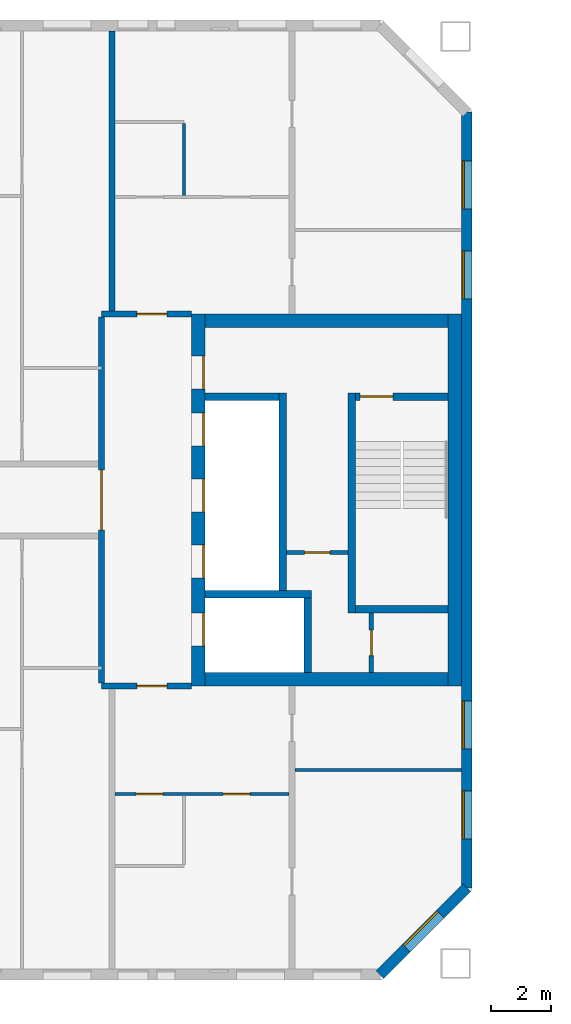
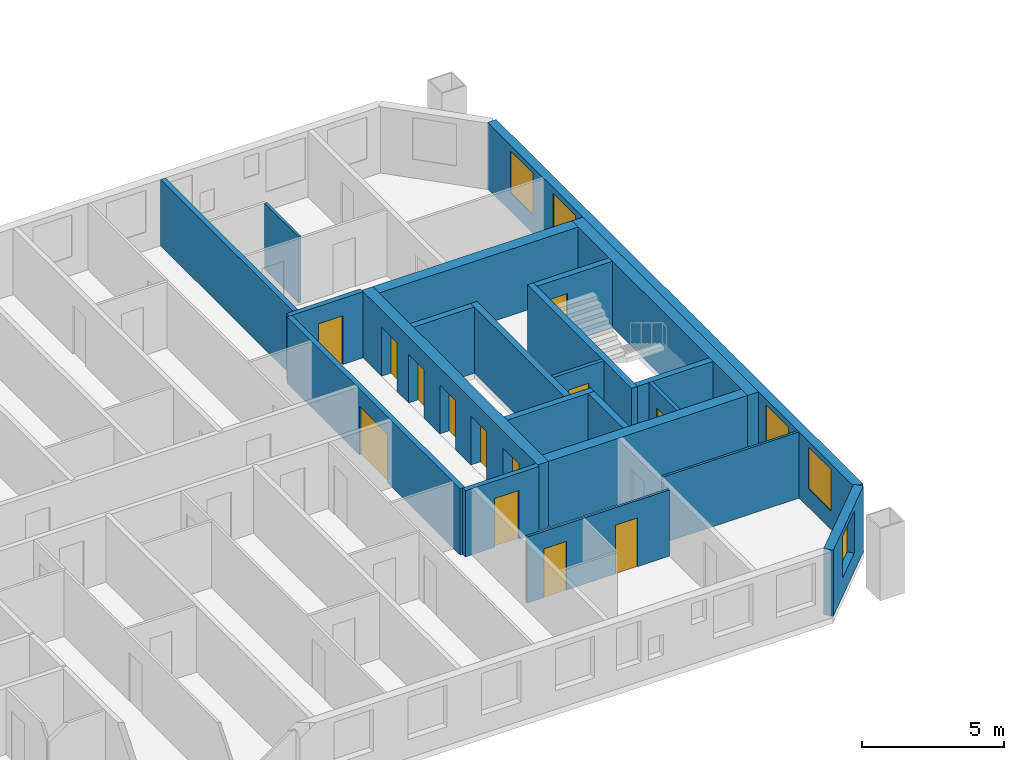
# One storey, part 7 of 16: 22 walls, 13 doors, 5 windows, 18 openings.
"""IFC4 building model written with IfcOpenShell, lengths in metres."""

from ifc_helpers import new_model, si_unit, direction, frame, frame_2d, origin, place, context, subcontext, project, spatial, rectangle, extrude, material, layer, layer_set, type_object, element, fill, save


model = new_model("IFC4")

# Units and contexts
model_context = context("Model", 3, precision=1e-05, world=origin(), true_north=direction((0.0, 1.0)))
body_context = subcontext(model_context, "Body", "Model", "MODEL_VIEW")
ifc_project = project(units=[si_unit("LENGTHUNIT", "METRE"), si_unit("AREAUNIT", "SQUARE_METRE"), si_unit("VOLUMEUNIT", "CUBIC_METRE"), si_unit("PLANEANGLEUNIT", "RADIAN"), si_unit("MASSUNIT", "GRAM", prefix="KILO")], contexts=[model_context])

# Site, building, storey
site_placement = place(None, origin())
site = spatial("IfcSite", under=ifc_project, at=site_placement, CompositionType="ELEMENT")
building_placement = place(site_placement, origin())
building = spatial("IfcBuilding", under=site, at=building_placement, Name="Tuart Gate Housing", CompositionType="ELEMENT")
storey_placement = place(building_placement, frame((0.0, 0.0, 178.89990234375)))
storey = spatial("IfcBuildingStorey", under=building, at=storey_placement, Name="L50", CompositionType="ELEMENT", Elevation=178.89990234375)

# Wall, opening, window
ifc_material_1 = material(Name="Brick", Category="masonry")
ifc_layer_1 = layer(ifc_material_1, 0.360107421875)
ifc_layer_set_1 = layer_set([ifc_layer_1], Name="Brick pier and spandrel wall 360")
wall_type_1 = type_object("IfcWallType", Name="Brick pier and spandrel wall 360", PredefinedType="STANDARD", material=ifc_layer_set_1)
wall_1_placement = place(storey_placement, frame((72.92529296875, 54.179931640625, 0.0), z_axis=(0.0, 0.0, 1.0), x_axis=(0.707106781187, 0.707106781187, 0.0)))
wall_1 = element("IfcWall", 1, at=wall_1_placement, inside=storey, type_object=wall_type_1, Name="External wall A-SE L50", PredefinedType="STANDARD", context=body_context, shape_type="SweptSolid", body=[
    extrude(rectangle(XDim=4.09375, YDim=0.360107421875, at=frame_2d((2.046875, 0.0))), origin(), (0.0, 0.0, 1.0), 2.85009765625),
])
opening_1_placement = place(wall_1_placement, frame((1.2470703125, 0.0, 0.800048828125)))
opening_1 = element("IfcOpeningElement", 2, at=opening_1_placement, cuts=wall_1, Name="Opening W1", PredefinedType="OPENING", context=body_context, shape_type="SweptSolid", body=[
    extrude(rectangle(XDim=1.60009765625, YDim=1.800048828125, at=frame_2d((0.800048828125, 0.89990234375))), frame((0.0, 0.18994140625, 0.0), z_axis=(0.0, -1.0, 0.0), x_axis=(1.0, 0.0, 0.0)), (0.0, 0.0, 1.0), 0.380126953125),
])
ifc_material_2 = material(Name="Aluminium frame with clear glass", Category="aluminium")
window_type = type_object("IfcWindowType", Name="Punched window 1600 x 1800", PartitioningType="SINGLE_PANEL", PredefinedType="WINDOW", material=ifc_material_2)
window_1_placement = place(opening_1_placement, origin())
window_1 = element("IfcWindow", 3, at=window_1_placement, inside=storey, type_object=window_type, Name="Window W1", OverallHeight=1.800048828125, OverallWidth=1.60009765625, PartitioningType="SINGLE_PANEL", PredefinedType="WINDOW", context=body_context, shape_type="SweptSolid", body=[
    extrude(rectangle(XDim=1.60009765625, YDim=1.800048828125, at=frame_2d((0.800048828125, 0.89990234375))), frame((0.0, 0.150146484375, 0.0), z_axis=(0.0, -1.0, 0.0), x_axis=(1.0, 0.0, 0.0)), (0.0, 0.0, 1.0), 0.06005859375),
])
fill(opening_1, window_1)

# Wall, openings, windows
wall_2_placement = place(storey_placement, frame((75.820068359375, 57.07470703125, 0.0), z_axis=(0.0, 0.0, 1.0), x_axis=(0.0, 1.0, 0.0)))
wall_2 = element("IfcWall", 4, at=wall_2_placement, inside=storey, type_object=wall_type_1, Name="External wall A-E L50", PredefinedType="STANDARD", context=body_context, shape_type="SweptSolid", body=[
    extrude(rectangle(XDim=25.850830078125, YDim=0.360107421875, at=frame_2d((12.92529296875, 0.0))), origin(), (0.0, 0.0, 1.0), 2.85009765625),
])
opening_2_placement = place(wall_2_placement, frame((1.62548828125, 0.0, 0.800048828125)))
opening_2 = element("IfcOpeningElement", 5, at=opening_2_placement, cuts=wall_2, Name="Opening W1", PredefinedType="OPENING", context=body_context, shape_type="SweptSolid", body=[
    extrude(rectangle(XDim=1.60009765625, YDim=1.800048828125, at=frame_2d((0.800048828125, 0.89990234375))), frame((0.0, 0.18994140625, 0.0), z_axis=(0.0, -1.0, 0.0), x_axis=(1.0, 0.0, 0.0)), (0.0, 0.0, 1.0), 0.380126953125),
])
opening_3_placement = place(wall_2_placement, frame((4.62548828125, 0.0, 0.800048828125)))
opening_3 = element("IfcOpeningElement", 6, at=opening_3_placement, cuts=wall_2, Name="Opening W1", PredefinedType="OPENING", context=body_context, shape_type="SweptSolid", body=[
    extrude(rectangle(XDim=1.60009765625, YDim=1.800048828125, at=frame_2d((0.800048828125, 0.89990234375))), frame((0.0, 0.18994140625, 0.0), z_axis=(0.0, -1.0, 0.0), x_axis=(1.0, 0.0, 0.0)), (0.0, 0.0, 1.0), 0.380126953125),
])
opening_4_placement = place(wall_2_placement, frame((19.62548828125, 0.0, 0.800048828125)))
opening_4 = element("IfcOpeningElement", 7, at=opening_4_placement, cuts=wall_2, Name="Opening W1", PredefinedType="OPENING", context=body_context, shape_type="SweptSolid", body=[
    extrude(rectangle(XDim=1.60009765625, YDim=1.800048828125, at=frame_2d((0.800048828125, 0.89990234375))), frame((0.0, 0.18994140625, 0.0), z_axis=(0.0, -1.0, 0.0), x_axis=(1.0, 0.0, 0.0)), (0.0, 0.0, 1.0), 0.380126953125),
])
opening_5_placement = place(wall_2_placement, frame((22.62548828125, 0.0, 0.800048828125)))
opening_5 = element("IfcOpeningElement", 8, at=opening_5_placement, cuts=wall_2, Name="Opening W1", PredefinedType="OPENING", context=body_context, shape_type="SweptSolid", body=[
    extrude(rectangle(XDim=1.60009765625, YDim=1.800048828125, at=frame_2d((0.800048828125, 0.89990234375))), frame((0.0, 0.18994140625, 0.0), z_axis=(0.0, -1.0, 0.0), x_axis=(1.0, 0.0, 0.0)), (0.0, 0.0, 1.0), 0.380126953125),
])
window_2_placement = place(opening_2_placement, origin())
window_2 = element("IfcWindow", 9, at=window_2_placement, inside=storey, type_object=window_type, Name="Window W1", OverallHeight=1.800048828125, OverallWidth=1.60009765625, PartitioningType="SINGLE_PANEL", PredefinedType="WINDOW", context=body_context, shape_type="SweptSolid", body=[
    extrude(rectangle(XDim=1.60009765625, YDim=1.800048828125, at=frame_2d((0.800048828125, 0.89990234375))), frame((0.0, 0.150146484375, 0.0), z_axis=(0.0, -1.0, 0.0), x_axis=(1.0, 0.0, 0.0)), (0.0, 0.0, 1.0), 0.06005859375),
])
fill(opening_2, window_2)
window_3_placement = place(opening_3_placement, origin())
window_3 = element("IfcWindow", 10, at=window_3_placement, inside=storey, type_object=window_type, Name="Window W1", OverallHeight=1.800048828125, OverallWidth=1.60009765625, PartitioningType="SINGLE_PANEL", PredefinedType="WINDOW", context=body_context, shape_type="SweptSolid", body=[
    extrude(rectangle(XDim=1.60009765625, YDim=1.800048828125, at=frame_2d((0.800048828125, 0.89990234375))), frame((0.0, 0.150146484375, 0.0), z_axis=(0.0, -1.0, 0.0), x_axis=(1.0, 0.0, 0.0)), (0.0, 0.0, 1.0), 0.06005859375),
])
fill(opening_3, window_3)
window_4_placement = place(opening_4_placement, origin())
window_4 = element("IfcWindow", 11, at=window_4_placement, inside=storey, type_object=window_type, Name="Window W1", OverallHeight=1.800048828125, OverallWidth=1.60009765625, PartitioningType="SINGLE_PANEL", PredefinedType="WINDOW", context=body_context, shape_type="SweptSolid", body=[
    extrude(rectangle(XDim=1.60009765625, YDim=1.800048828125, at=frame_2d((0.800048828125, 0.89990234375))), frame((0.0, 0.150146484375, 0.0), z_axis=(0.0, -1.0, 0.0), x_axis=(1.0, 0.0, 0.0)), (0.0, 0.0, 1.0), 0.06005859375),
])
fill(opening_4, window_4)
window_5_placement = place(opening_5_placement, origin())
window_5 = element("IfcWindow", 12, at=window_5_placement, inside=storey, type_object=window_type, Name="Window W1", OverallHeight=1.800048828125, OverallWidth=1.60009765625, PartitioningType="SINGLE_PANEL", PredefinedType="WINDOW", context=body_context, shape_type="SweptSolid", body=[
    extrude(rectangle(XDim=1.60009765625, YDim=1.800048828125, at=frame_2d((0.800048828125, 0.89990234375))), frame((0.0, 0.150146484375, 0.0), z_axis=(0.0, -1.0, 0.0), x_axis=(1.0, 0.0, 0.0)), (0.0, 0.0, 1.0), 0.06005859375),
])
fill(opening_5, window_5)

# Wall, opening, door
ifc_material_3 = material(Name="Plasterboard partition")
ifc_layer_2 = layer(ifc_material_3, 0.14990234375)
ifc_layer_set_2 = layer_set([ifc_layer_2], Name="Core partition 150")
wall_type_2 = type_object("IfcWallType", Name="Core partition 150", PredefinedType="PARTITIONING", material=ifc_layer_set_2)
wall_3_placement = place(storey_placement, frame((69.81494140625, 68.25, 0.0), z_axis=(0.0, 0.0, 1.0), x_axis=(1.0, 0.0, 0.0)))
wall_3 = element("IfcWall", 13, at=wall_3_placement, inside=storey, type_object=wall_type_2, Name="Core partition AG.3", PredefinedType="PARTITIONING", context=body_context, shape_type="SweptSolid", body=[
    extrude(rectangle(XDim=2.050048828125, YDim=0.14990234375, at=frame_2d((1.02490234375, 0.0))), origin(), (0.0, 0.0, 1.0), 2.85009765625),
])
opening_6_placement = place(wall_3_placement, frame((0.60009765625, 0.0, 0.0)))
opening_6 = element("IfcOpeningElement", 14, at=opening_6_placement, cuts=wall_3, Name="Opening D1768", PredefinedType="OPENING", context=body_context, shape_type="SweptSolid", body=[
    extrude(rectangle(XDim=0.85009765625, YDim=2.10009765625, at=frame_2d((0.425048828125, 1.050048828125))), frame((0.0, 0.0849609375, 0.0), z_axis=(0.0, -1.0, 0.0), x_axis=(1.0, 0.0, 0.0)), (0.0, 0.0, 1.0), 0.169921875),
])
ifc_material_4 = material(Name="Steel fire door", Category="steel")
door_type_1 = type_object("IfcDoorType", Name="Riser door 850 x 2100 RH", OperationType="SINGLE_SWING_RIGHT", PredefinedType="DOOR", material=ifc_material_4)
door_1_placement = place(opening_6_placement, frame((0.85009765625, 0.0, 0.0), z_axis=(0.0, 0.0, 1.0), x_axis=(-1.0, 0.0, 0.0)))
door_1 = element("IfcDoor", 15, at=door_1_placement, inside=storey, type_object=door_type_1, Name="Service room door AG.E1", OperationType="SINGLE_SWING_RIGHT", OverallHeight=2.10009765625, OverallWidth=0.85009765625, PredefinedType="DOOR", context=body_context, shape_type="SweptSolid", body=[
    extrude(rectangle(XDim=0.85009765625, YDim=2.10009765625, at=frame_2d((0.425048828125, 1.050048828125))), frame((0.0, 0.025146484375, 0.0), z_axis=(0.0, -1.0, 0.0), x_axis=(1.0, 0.0, 0.0)), (0.0, 0.0, 1.0), 0.050048828125),
])
fill(opening_6, door_1)

wall_4_placement = place(storey_placement, frame((72.639892578125, 64.25, 0.0), z_axis=(0.0, 0.0, 1.0), x_axis=(0.0, 1.0, 0.0)))
wall_4 = element("IfcWall", 16, at=wall_4_placement, inside=storey, type_object=wall_type_2, Name="Core partition AG.9", PredefinedType="PARTITIONING", context=body_context, shape_type="SweptSolid", body=[
    extrude(rectangle(XDim=1.97509765625, YDim=0.14990234375, at=frame_2d((0.987548828125, 0.0))), origin(), (0.0, 0.0, 1.0), 2.85009765625),
])
opening_7_placement = place(wall_4_placement, frame((0.5625, 0.0, 0.0)))
opening_7 = element("IfcOpeningElement", 17, at=opening_7_placement, cuts=wall_4, Name="Opening D1770", PredefinedType="OPENING", context=body_context, shape_type="SweptSolid", body=[
    extrude(rectangle(XDim=0.85009765625, YDim=2.10009765625, at=frame_2d((0.425048828125, 1.050048828125))), frame((0.0, 0.0849609375, 0.0), z_axis=(0.0, -1.0, 0.0), x_axis=(1.0, 0.0, 0.0)), (0.0, 0.0, 1.0), 0.169921875),
])
ifc_material_5 = material(Name="Steel fire door", Category="steel")
door_type_2 = type_object("IfcDoorType", Name="Service door 850 x 2100", OperationType="SINGLE_SWING_LEFT", PredefinedType="DOOR", material=ifc_material_5)
door_2_placement = place(opening_7_placement, origin())
door_2 = element("IfcDoor", 18, at=door_2_placement, inside=storey, type_object=door_type_2, Name="Service room door AG.E2", OperationType="SINGLE_SWING_LEFT", OverallHeight=2.10009765625, OverallWidth=0.85009765625, PredefinedType="DOOR", context=body_context, shape_type="SweptSolid", body=[
    extrude(rectangle(XDim=0.85009765625, YDim=2.10009765625, at=frame_2d((0.425048828125, 1.050048828125))), frame((0.0, 0.02490234375, 0.0), z_axis=(0.0, -1.0, 0.0), x_axis=(1.0, 0.0, 0.0)), (0.0, 0.0, 1.0), 0.050048828125),
])
fill(opening_7, door_2)

# Walls
ifc_material_6 = material(Name="Concrete C40", Category="concrete")
ifc_layer_3 = layer(ifc_material_6, 0.25)
ifc_layer_set_3 = layer_set([ifc_layer_3], Name="Core wall 250 C40")
wall_type_3 = type_object("IfcWallType", Name="Core wall 250 C40", PredefinedType="SHEAR", material=ifc_layer_set_3)
wall_5_placement = place(storey_placement, frame((72.114990234375, 66.35009765625, 0.0), z_axis=(0.0, 0.0, 1.0), x_axis=(1.0, 0.0, 0.0)))
element("IfcWall", 19, at=wall_5_placement, inside=storey, type_object=wall_type_3, Name="Core wall AG.1", PredefinedType="SHEAR", context=body_context, shape_type="SweptSolid", body=[
    extrude(rectangle(XDim=3.074951171875, YDim=0.25, at=frame_2d((1.53759765625, 0.0))), origin(), (0.0, 0.0, 1.0), 2.85009765625),
])
wall_6_placement = place(storey_placement, frame((67.090087890625, 66.85009765625, 0.0), z_axis=(0.0, 0.0, 1.0), x_axis=(1.0, 0.0, 0.0)))
element("IfcWall", 20, at=wall_6_placement, inside=storey, type_object=wall_type_3, Name="Core wall AG.2", PredefinedType="SHEAR", context=body_context, shape_type="SweptSolid", body=[
    extrude(rectangle(XDim=3.544921875, YDim=0.25, at=frame_2d((1.7724609375, 0.0))), origin(), (0.0, 0.0, 1.0), 2.85009765625),
])
wall_7_placement = place(storey_placement, frame((67.090087890625, 73.449951171875, 0.0), z_axis=(0.0, 0.0, 1.0), x_axis=(1.0, 0.0, 0.0)))
element("IfcWall", 21, at=wall_7_placement, inside=storey, type_object=wall_type_3, Name="Core wall AG.4", PredefinedType="SHEAR", context=body_context, shape_type="SweptSolid", body=[
    extrude(rectangle(XDim=2.474853515625, YDim=0.25, at=frame_2d((1.2373046875, 0.0))), origin(), (0.0, 0.0, 1.0), 2.85009765625),
])

# Wall, opening, door
wall_8_placement = place(storey_placement, frame((72.114990234375, 73.449951171875, 0.0), z_axis=(0.0, 0.0, 1.0), x_axis=(1.0, 0.0, 0.0)))
wall_8 = element("IfcWall", 22, at=wall_8_placement, inside=storey, type_object=wall_type_3, Name="Core wall AG.5", PredefinedType="SHEAR", context=body_context, shape_type="SweptSolid", body=[
    extrude(rectangle(XDim=3.074951171875, YDim=0.25, at=frame_2d((1.53759765625, 0.0))), origin(), (0.0, 0.0, 1.0), 2.85009765625),
])
opening_8_placement = place(wall_8_placement, frame((0.14990234375, 0.0, 0.0)))
opening_8 = element("IfcOpeningElement", 23, at=opening_8_placement, cuts=wall_8, Name="Opening D1754", PredefinedType="OPENING", context=body_context, shape_type="SweptSolid", body=[
    extrude(rectangle(XDim=1.10009765625, YDim=2.10009765625, at=frame_2d((0.550048828125, 1.050048828125))), frame((0.0, 0.135009765625, 0.0), z_axis=(0.0, -1.0, 0.0), x_axis=(1.0, 0.0, 0.0)), (0.0, 0.0, 1.0), 0.27001953125),
])
ifc_material_7 = material(Name="Steel fire door", Category="steel")
door_type_3 = type_object("IfcDoorType", Name="Stair door 1100 x 2100 RH", OperationType="SINGLE_SWING_RIGHT", PredefinedType="DOOR", material=ifc_material_7)
door_3_placement = place(opening_8_placement, frame((1.10009765625, 0.0, 0.0), z_axis=(0.0, 0.0, 1.0), x_axis=(-1.0, 0.0, 0.0)))
door_3 = element("IfcDoor", 24, at=door_3_placement, inside=storey, type_object=door_type_3, Name="Stair door AG.SD", OperationType="SINGLE_SWING_RIGHT", OverallHeight=2.10009765625, OverallWidth=1.10009765625, PredefinedType="DOOR", context=body_context, shape_type="SweptSolid", body=[
    extrude(rectangle(XDim=1.10009765625, YDim=2.10009765625, at=frame_2d((0.550048828125, 1.050048828125))), frame((0.0, 0.025146484375, 0.0), z_axis=(0.0, -1.0, 0.0), x_axis=(1.0, 0.0, 0.0)), (0.0, 0.0, 1.0), 0.050048828125),
])
fill(opening_8, door_3)

# Walls
wall_9_placement = place(storey_placement, frame((69.68994140625, 66.97509765625, 0.0), z_axis=(0.0, 0.0, 1.0), x_axis=(0.0, 1.0, 0.0)))
element("IfcWall", 25, at=wall_9_placement, inside=storey, type_object=wall_type_3, Name="Core wall AG.6", PredefinedType="SHEAR", context=body_context, shape_type="SweptSolid", body=[
    extrude(rectangle(XDim=6.599853515625, YDim=0.25, at=frame_2d((3.2998046875, 0.0))), origin(), (0.0, 0.0, 1.0), 2.85009765625),
])
wall_10_placement = place(storey_placement, frame((70.510009765625, 64.25, 0.0), z_axis=(0.0, 0.0, 1.0), x_axis=(0.0, 1.0, 0.0)))
element("IfcWall", 26, at=wall_10_placement, inside=storey, type_object=wall_type_3, Name="Core wall AG.7", PredefinedType="SHEAR", context=body_context, shape_type="SweptSolid", body=[
    extrude(rectangle(XDim=2.47509765625, YDim=0.25, at=frame_2d((1.237548828125, 0.0))), origin(), (0.0, 0.0, 1.0), 2.85009765625),
])
wall_11_placement = place(storey_placement, frame((71.989990234375, 66.22509765625, 0.0), z_axis=(0.0, 0.0, 1.0), x_axis=(0.0, 1.0, 0.0)))
element("IfcWall", 27, at=wall_11_placement, inside=storey, type_object=wall_type_3, Name="Core wall AG.8", PredefinedType="SHEAR", context=body_context, shape_type="SweptSolid", body=[
    extrude(rectangle(XDim=7.349853515625, YDim=0.25, at=frame_2d((3.6748046875, 0.0))), origin(), (0.0, 0.0, 1.0), 2.85009765625),
])

# Wall, openings, doors
ifc_material_8 = material(Name="Concrete C40", Category="concrete")
ifc_layer_4 = layer(ifc_material_8, 0.449951171875)
ifc_layer_set_4 = layer_set([ifc_layer_4], Name="Core wall 450 C40")
wall_type_4 = type_object("IfcWallType", Name="Core wall 450 C40", PredefinedType="SHEAR", material=ifc_layer_set_4)
wall_12_placement = place(storey_placement, frame((66.864990234375, 63.800048828125, 0.0), z_axis=(0.0, 0.0, 1.0), x_axis=(0.0, 1.0, 0.0)))
wall_12 = element("IfcWall", 28, at=wall_12_placement, inside=storey, type_object=wall_type_4, Name="Core wall AG front", PredefinedType="SHEAR", context=body_context, shape_type="SweptSolid", body=[
    extrude(rectangle(XDim=12.39990234375, YDim=0.449951171875, at=frame_2d((6.199951171875, 0.0))), origin(), (0.0, 0.0, 1.0), 2.85009765625),
])
opening_9_placement = place(wall_12_placement, frame((1.324951171875, 0.0, 0.0)))
opening_9 = element("IfcOpeningElement", 29, at=opening_9_placement, cuts=wall_12, Name="Opening LD-FA1", PredefinedType="OPENING", context=body_context, shape_type="SweptSolid", body=[
    extrude(rectangle(XDim=1.10009765625, YDim=2.10009765625, at=frame_2d((0.550048828125, 1.050048828125))), frame((0.0, 0.23486328125, 0.0), z_axis=(0.0, -1.0, 0.0), x_axis=(1.0, 0.0, 0.0)), (0.0, 0.0, 1.0), 0.469970703125),
])
opening_10_placement = place(wall_12_placement, frame((3.60009765625, 0.0, 0.0)))
opening_10 = element("IfcOpeningElement", 30, at=opening_10_placement, cuts=wall_12, Name="Opening LD-LA1", PredefinedType="OPENING", context=body_context, shape_type="SweptSolid", body=[
    extrude(rectangle(XDim=1.10009765625, YDim=2.10009765625, at=frame_2d((0.550048828125, 1.050048828125))), frame((0.0, 0.23486328125, 0.0), z_axis=(0.0, -1.0, 0.0), x_axis=(1.0, 0.0, 0.0)), (0.0, 0.0, 1.0), 0.469970703125),
])
opening_11_placement = place(wall_12_placement, frame((5.800048828125, 0.0, 0.0)))
opening_11 = element("IfcOpeningElement", 31, at=opening_11_placement, cuts=wall_12, Name="Opening LD-LA2", PredefinedType="OPENING", context=body_context, shape_type="SweptSolid", body=[
    extrude(rectangle(XDim=1.10009765625, YDim=2.10009765625, at=frame_2d((0.550048828125, 1.050048828125))), frame((0.0, 0.23486328125, 0.0), z_axis=(0.0, -1.0, 0.0), x_axis=(1.0, 0.0, 0.0)), (0.0, 0.0, 1.0), 0.469970703125),
])
opening_12_placement = place(wall_12_placement, frame((8.0, 0.0, 0.0)))
opening_12 = element("IfcOpeningElement", 32, at=opening_12_placement, cuts=wall_12, Name="Opening LD-LA3", PredefinedType="OPENING", context=body_context, shape_type="SweptSolid", body=[
    extrude(rectangle(XDim=1.10009765625, YDim=2.10009765625, at=frame_2d((0.550048828125, 1.050048828125))), frame((0.0, 0.23486328125, 0.0), z_axis=(0.0, -1.0, 0.0), x_axis=(1.0, 0.0, 0.0)), (0.0, 0.0, 1.0), 0.469970703125),
])
opening_13_placement = place(wall_12_placement, frame((9.89990234375, 0.0, 0.0)))
opening_13 = element("IfcOpeningElement", 33, at=opening_13_placement, cuts=wall_12, Name="Opening D1764", PredefinedType="OPENING", context=body_context, shape_type="SweptSolid", body=[
    extrude(rectangle(XDim=1.10009765625, YDim=2.10009765625, at=frame_2d((0.550048828125, 1.050048828125))), frame((0.0, 0.23486328125, 0.0), z_axis=(0.0, -1.0, 0.0), x_axis=(1.0, 0.0, 0.0)), (0.0, 0.0, 1.0), 0.469970703125),
])
ifc_material_9 = material(Name="Stainless steel", Category="steel")
door_type_4 = type_object("IfcDoorType", Name="Landing door 1100 x 2100", OperationType="DOUBLE_DOOR_SLIDING", PredefinedType="DOOR", material=ifc_material_9)
door_4_placement = place(opening_9_placement, origin())
door_4 = element("IfcDoor", 34, at=door_4_placement, inside=storey, type_object=door_type_4, Name="Lift landing door FA1", OperationType="DOUBLE_DOOR_SLIDING", OverallHeight=2.10009765625, OverallWidth=1.10009765625, PredefinedType="DOOR", context=body_context, shape_type="SweptSolid", body=[
    extrude(rectangle(XDim=1.10009765625, YDim=2.10009765625, at=frame_2d((0.550048828125, 1.050048828125))), frame((0.0, -0.16015625, 0.0), z_axis=(0.0, -1.0, 0.0), x_axis=(1.0, 0.0, 0.0)), (0.0, 0.0, 1.0), 0.050048828125),
])
fill(opening_9, door_4)
door_5_placement = place(opening_10_placement, origin())
door_5 = element("IfcDoor", 35, at=door_5_placement, inside=storey, type_object=door_type_4, Name="Lift landing door LA1", OperationType="DOUBLE_DOOR_SLIDING", OverallHeight=2.10009765625, OverallWidth=1.10009765625, PredefinedType="DOOR", context=body_context, shape_type="SweptSolid", body=[
    extrude(rectangle(XDim=1.10009765625, YDim=2.10009765625, at=frame_2d((0.550048828125, 1.050048828125))), frame((0.0, -0.16015625, 0.0), z_axis=(0.0, -1.0, 0.0), x_axis=(1.0, 0.0, 0.0)), (0.0, 0.0, 1.0), 0.050048828125),
])
fill(opening_10, door_5)
door_6_placement = place(opening_11_placement, origin())
door_6 = element("IfcDoor", 36, at=door_6_placement, inside=storey, type_object=door_type_4, Name="Lift landing door LA2", OperationType="DOUBLE_DOOR_SLIDING", OverallHeight=2.10009765625, OverallWidth=1.10009765625, PredefinedType="DOOR", context=body_context, shape_type="SweptSolid", body=[
    extrude(rectangle(XDim=1.10009765625, YDim=2.10009765625, at=frame_2d((0.550048828125, 1.050048828125))), frame((0.0, -0.16015625, 0.0), z_axis=(0.0, -1.0, 0.0), x_axis=(1.0, 0.0, 0.0)), (0.0, 0.0, 1.0), 0.050048828125),
])
fill(opening_11, door_6)
door_7_placement = place(opening_12_placement, origin())
door_7 = element("IfcDoor", 37, at=door_7_placement, inside=storey, type_object=door_type_4, Name="Lift landing door LA3", OperationType="DOUBLE_DOOR_SLIDING", OverallHeight=2.10009765625, OverallWidth=1.10009765625, PredefinedType="DOOR", context=body_context, shape_type="SweptSolid", body=[
    extrude(rectangle(XDim=1.10009765625, YDim=2.10009765625, at=frame_2d((0.550048828125, 1.050048828125))), frame((0.0, -0.16015625, 0.0), z_axis=(0.0, -1.0, 0.0), x_axis=(1.0, 0.0, 0.0)), (0.0, 0.0, 1.0), 0.050048828125),
])
fill(opening_12, door_7)
ifc_material_10 = material(Name="Steel fire door", Category="steel")
door_type_5 = type_object("IfcDoorType", Name="Lobby door 1100 x 2100 RH", OperationType="SINGLE_SWING_RIGHT", PredefinedType="DOOR", material=ifc_material_10)
door_8_placement = place(opening_13_placement, frame((1.10009765625, 0.0, 0.0), z_axis=(0.0, 0.0, 1.0), x_axis=(-1.0, 0.0, 0.0)))
door_8 = element("IfcDoor", 38, at=door_8_placement, inside=storey, type_object=door_type_5, Name="Lobby entry door AG.EN", OperationType="SINGLE_SWING_RIGHT", OverallHeight=2.10009765625, OverallWidth=1.10009765625, PredefinedType="DOOR", context=body_context, shape_type="SweptSolid", body=[
    extrude(rectangle(XDim=1.10009765625, YDim=2.10009765625, at=frame_2d((0.550048828125, 1.050048828125))), frame((0.0, 0.210205078125, 0.0), z_axis=(0.0, -1.0, 0.0), x_axis=(1.0, 0.0, 0.0)), (0.0, 0.0, 1.0), 0.050048828125),
])
fill(opening_13, door_8)

# Walls
wall_13_placement = place(storey_placement, frame((75.4150390625, 63.800048828125, 0.0), z_axis=(0.0, 0.0, 1.0), x_axis=(0.0, 1.0, 0.0)))
element("IfcWall", 39, at=wall_13_placement, inside=storey, type_object=wall_type_4, Name="Core wall AG back", PredefinedType="SHEAR", context=body_context, shape_type="SweptSolid", body=[
    extrude(rectangle(XDim=12.39990234375, YDim=0.449951171875, at=frame_2d((6.199951171875, 0.0))), origin(), (0.0, 0.0, 1.0), 2.85009765625),
])
for number, where, z_axis, x_axis, name in (
    (40, (67.090087890625, 64.02490234375, 0.0), (0.0, 0.0, 1.0), (1.0, 0.0, 0.0), "Core wall AG south"),
    (41, (67.090087890625, 75.97509765625, 0.0), (0.0, 0.0, 1.0), (1.0, 0.0, 0.0), "Core wall AG north"),
):
    element("IfcWall", number, at=place(storey_placement, frame(where, z_axis=z_axis, x_axis=x_axis)), inside=storey, type_object=wall_type_4, Name=name, PredefinedType="SHEAR", context=body_context, shape_type="SweptSolid", body=[
        extrude(rectangle(XDim=8.099853515625, YDim=0.449951171875, at=frame_2d((4.0498046875, 0.0))), origin(), (0.0, 0.0, 1.0), 2.85009765625),
    ])

# Wall, opening, door
ifc_material_11 = material(Name="Concrete masonry 15 MPa", Category="masonry")
ifc_layer_5 = layer(ifc_material_11, 0.199951171875)
ifc_layer_set_5 = layer_set([ifc_layer_5], Name="Enclosure wall masonry 200")
wall_type_5 = type_object("IfcWallType", Name="Enclosure wall masonry 200", PredefinedType="PARTITIONING", material=ifc_layer_set_5)
wall_14_placement = place(storey_placement, frame((63.639892578125, 63.800048828125, 0.0), z_axis=(0.0, 0.0, 1.0), x_axis=(1.0, 0.0, 0.0)))
wall_14 = element("IfcWall", 42, at=wall_14_placement, inside=storey, type_object=wall_type_5, Name="Enclosure wall masonry 200", PredefinedType="PARTITIONING", context=body_context, shape_type="SweptSolid", body=[
    extrude(rectangle(XDim=3.0, YDim=0.199951171875, at=frame_2d((1.5, 0.0))), origin(), (0.0, 0.0, 1.0), 2.85009765625),
])
opening_14_placement = place(wall_14_placement, frame((1.179931640625, 0.0, 0.0)))
opening_14 = element("IfcOpeningElement", 43, at=opening_14_placement, cuts=wall_14, Name="Opening D1772", PredefinedType="OPENING", context=body_context, shape_type="SweptSolid", body=[
    extrude(rectangle(XDim=1.0, YDim=2.10009765625, at=frame_2d((0.5, 1.050048828125))), frame((0.0, 0.10986328125, 0.0), z_axis=(0.0, -1.0, 0.0), x_axis=(1.0, 0.0, 0.0)), (0.0, 0.0, 1.0), 0.219970703125),
])
ifc_material_12 = material(Name="Timber door leaf in steel frame", Category="steel")
door_type_6 = type_object("IfcDoorType", Name="Flat entrance door 1000 RH", OperationType="SINGLE_SWING_RIGHT", PredefinedType="DOOR", material=ifc_material_12)
door_9_placement = place(opening_14_placement, frame((1.0, 0.0, 0.0), z_axis=(0.0, 0.0, 1.0), x_axis=(-1.0, 0.0, 0.0)))
door_9 = element("IfcDoor", 44, at=door_9_placement, inside=storey, type_object=door_type_6, Name="Flat entrance door", OperationType="SINGLE_SWING_RIGHT", OverallHeight=2.10009765625, OverallWidth=1.0, PredefinedType="DOOR", context=body_context, shape_type="SweptSolid", body=[
    extrude(rectangle(XDim=1.0, YDim=2.10009765625, at=frame_2d((0.5, 1.050048828125))), frame((0.0, 0.025146484375, 0.0), z_axis=(0.0, -1.0, 0.0), x_axis=(1.0, 0.0, 0.0)), (0.0, 0.0, 1.0), 0.050048828125),
])
fill(opening_14, door_9)

wall_15_placement = place(storey_placement, frame((63.639892578125, 76.199951171875, 0.0), z_axis=(0.0, 0.0, 1.0), x_axis=(1.0, 0.0, 0.0)))
wall_15 = element("IfcWall", 45, at=wall_15_placement, inside=storey, type_object=wall_type_5, Name="Enclosure wall masonry 200", PredefinedType="PARTITIONING", context=body_context, shape_type="SweptSolid", body=[
    extrude(rectangle(XDim=3.0, YDim=0.199951171875, at=frame_2d((1.5, 0.0))), origin(), (0.0, 0.0, 1.0), 2.85009765625),
])
opening_15_placement = place(wall_15_placement, frame((1.179931640625, 0.0, 0.0)))
opening_15 = element("IfcOpeningElement", 46, at=opening_15_placement, cuts=wall_15, Name="Opening D1753", PredefinedType="OPENING", context=body_context, shape_type="SweptSolid", body=[
    extrude(rectangle(XDim=1.0, YDim=2.10009765625, at=frame_2d((0.5, 1.050048828125))), frame((0.0, 0.10986328125, 0.0), z_axis=(0.0, -1.0, 0.0), x_axis=(1.0, 0.0, 0.0)), (0.0, 0.0, 1.0), 0.219970703125),
])
ifc_material_13 = material(Name="Timber door leaf in steel frame", Category="steel")
door_type_7 = type_object("IfcDoorType", Name="Flat entrance door 1000", OperationType="SINGLE_SWING_LEFT", PredefinedType="DOOR", material=ifc_material_13)
door_10_placement = place(opening_15_placement, origin())
door_10 = element("IfcDoor", 47, at=door_10_placement, inside=storey, type_object=door_type_7, Name="Flat entrance door", OperationType="SINGLE_SWING_LEFT", OverallHeight=2.10009765625, OverallWidth=1.0, PredefinedType="DOOR", context=body_context, shape_type="SweptSolid", body=[
    extrude(rectangle(XDim=1.0, YDim=2.10009765625, at=frame_2d((0.5, 1.050048828125))), frame((0.0, 0.02490234375, 0.0), z_axis=(0.0, -1.0, 0.0), x_axis=(1.0, 0.0, 0.0)), (0.0, 0.0, 1.0), 0.050048828125),
])
fill(opening_15, door_10)

ifc_material_14 = material(Name="Plasterboard partition")
ifc_layer_6 = layer(ifc_material_14, 0.199951171875)
ifc_layer_set_6 = layer_set([ifc_layer_6], Name="Lobby wall 200")
wall_type_6 = type_object("IfcWallType", Name="Lobby wall 200", PredefinedType="PARTITIONING", material=ifc_layer_set_6)
wall_16_placement = place(storey_placement, frame((63.639892578125, 63.89990234375, 0.0), z_axis=(0.0, 0.0, 1.0), x_axis=(0.0, 1.0, 0.0)))
wall_16 = element("IfcWall", 48, at=wall_16_placement, inside=storey, type_object=wall_type_6, Name="Lift lobby wall AG", PredefinedType="PARTITIONING", context=body_context, shape_type="SweptSolid", body=[
    extrude(rectangle(XDim=12.2001953125, YDim=0.199951171875, at=frame_2d((6.10009765625, 0.0))), origin(), (0.0, 0.0, 1.0), 2.85009765625),
])
opening_16_placement = place(wall_16_placement, frame((5.10009765625, 0.0, 0.0)))
opening_16 = element("IfcOpeningElement", 49, at=opening_16_placement, cuts=wall_16, Name="Opening D1763", PredefinedType="OPENING", context=body_context, shape_type="SweptSolid", body=[
    extrude(rectangle(XDim=2.0, YDim=2.10009765625, at=frame_2d((1.0, 1.050048828125))), frame((0.0, 0.10986328125, 0.0), z_axis=(0.0, -1.0, 0.0), x_axis=(1.0, 0.0, 0.0)), (0.0, 0.0, 1.0), 0.219970703125),
])
ifc_material_15 = material(Name="Steel fire door", Category="steel")
door_type_8 = type_object("IfcDoorType", Name="Smoke door 2000 x 2100", OperationType="DOUBLE_DOOR_SINGLE_SWING", PredefinedType="DOOR", material=ifc_material_15)
door_11_placement = place(opening_16_placement, frame((2.0, 0.0, 0.0), z_axis=(0.0, 0.0, 1.0), x_axis=(-1.0, 0.0, 0.0)))
door_11 = element("IfcDoor", 50, at=door_11_placement, inside=storey, type_object=door_type_8, Name="Lift lobby smoke door AG", OperationType="DOUBLE_DOOR_SINGLE_SWING", OverallHeight=2.10009765625, OverallWidth=2.0, PredefinedType="DOOR", context=body_context, shape_type="SweptSolid", body=[
    extrude(rectangle(XDim=2.0, YDim=2.10009765625, at=frame_2d((1.0, 1.050048828125))), frame((0.0, 0.025146484375, 0.0), z_axis=(0.0, -1.0, 0.0), x_axis=(1.0, 0.0, 0.0)), (0.0, 0.0, 1.0), 0.050048828125),
])
fill(opening_16, door_11)

# Wall, openings, doors
ifc_material_16 = material(Name="Gypsum board on steel studs", Category="steel")
ifc_layer_7 = layer(ifc_material_16, 0.10009765625)
ifc_layer_set_7 = layer_set([ifc_layer_7], Name="Partition 100")
wall_type_7 = type_object("IfcWallType", Name="Partition 100", PredefinedType="PARTITIONING", material=ifc_layer_set_7)
wall_17_placement = place(storey_placement, frame((64.10009765625, 60.199951171875, 0.0), z_axis=(0.0, 0.0, 1.0), x_axis=(1.0, 0.0, 0.0)))
wall_17 = element("IfcWall", 51, at=wall_17_placement, inside=storey, type_object=wall_type_7, Name="Partition 100", PredefinedType="PARTITIONING", context=body_context, shape_type="SweptSolid", body=[
    extrude(rectangle(XDim=5.7998046875, YDim=0.10009765625, at=frame_2d((2.89990234375, 0.0))), origin(), (0.0, 0.0, 1.0), 2.85009765625),
])
opening_17_placement = place(wall_17_placement, frame((3.60009765625, 0.0, 0.0)))
opening_17 = element("IfcOpeningElement", 52, at=opening_17_placement, cuts=wall_17, Name="Opening D1784", PredefinedType="OPENING", context=body_context, shape_type="SweptSolid", body=[
    extrude(rectangle(XDim=0.89990234375, YDim=2.10009765625, at=frame_2d((0.449951171875, 1.050048828125))), frame((0.0, 0.06005859375, 0.0), z_axis=(0.0, -1.0, 0.0), x_axis=(1.0, 0.0, 0.0)), (0.0, 0.0, 1.0), 0.1201171875),
])
opening_18_placement = place(wall_17_placement, frame((0.699951171875, 0.0, 0.0)))
opening_18 = element("IfcOpeningElement", 53, at=opening_18_placement, cuts=wall_17, Name="Opening D1783", PredefinedType="OPENING", context=body_context, shape_type="SweptSolid", body=[
    extrude(rectangle(XDim=0.89990234375, YDim=2.10009765625, at=frame_2d((0.449951171875, 1.050048828125))), frame((0.0, 0.06005859375, 0.0), z_axis=(0.0, -1.0, 0.0), x_axis=(1.0, 0.0, 0.0)), (0.0, 0.0, 1.0), 0.1201171875),
])
ifc_material_17 = material(Name="Timber door leaf in steel frame", Category="steel")
door_type_9 = type_object("IfcDoorType", Name="Bathroom door 900", OperationType="SINGLE_SWING_LEFT", PredefinedType="DOOR", material=ifc_material_17)
door_12_placement = place(opening_18_placement, frame((0.89990234375, 0.0, 0.0), z_axis=(0.0, 0.0, 1.0), x_axis=(-1.0, 0.0, 0.0)))
door_12 = element("IfcDoor", 54, at=door_12_placement, inside=storey, type_object=door_type_9, Name="Bathroom door", OperationType="SINGLE_SWING_LEFT", OverallHeight=2.10009765625, OverallWidth=0.89990234375, PredefinedType="DOOR", context=body_context, shape_type="SweptSolid", body=[
    extrude(rectangle(XDim=0.89990234375, YDim=2.10009765625, at=frame_2d((0.449951171875, 1.050048828125))), frame((0.0, 0.025146484375, 0.0), z_axis=(0.0, -1.0, 0.0), x_axis=(1.0, 0.0, 0.0)), (0.0, 0.0, 1.0), 0.050048828125),
])
fill(opening_18, door_12)
ifc_material_18 = material(Name="Timber door leaf in steel frame", Category="steel")
door_type_10 = type_object("IfcDoorType", Name="Internal door 900 RH", OperationType="SINGLE_SWING_RIGHT", PredefinedType="DOOR", material=ifc_material_18)
door_13_placement = place(opening_17_placement, origin())
door_13 = element("IfcDoor", 55, at=door_13_placement, inside=storey, type_object=door_type_10, Name="Internal door", OperationType="SINGLE_SWING_RIGHT", OverallHeight=2.10009765625, OverallWidth=0.89990234375, PredefinedType="DOOR", context=body_context, shape_type="SweptSolid", body=[
    extrude(rectangle(XDim=0.89990234375, YDim=2.10009765625, at=frame_2d((0.449951171875, 1.050048828125))), frame((0.0, 0.02490234375, 0.0), z_axis=(0.0, -1.0, 0.0), x_axis=(1.0, 0.0, 0.0)), (0.0, 0.0, 1.0), 0.050048828125),
])
fill(opening_17, door_13)

# Walls
wall_18_placement = place(storey_placement, frame((70.10009765625, 61.0, 0.0), z_axis=(0.0, 0.0, 1.0), x_axis=(1.0, 0.0, 0.0)))
element("IfcWall", 56, at=wall_18_placement, inside=storey, type_object=wall_type_7, Name="Partition 100", PredefinedType="PARTITIONING", context=body_context, shape_type="SweptSolid", body=[
    extrude(rectangle(XDim=5.539794921875, YDim=0.10009765625, at=frame_2d((2.77001953125, 0.0))), origin(), (0.0, 0.0, 1.0), 2.85009765625),
])
wall_19_placement = place(storey_placement, frame((66.39990234375, 80.14990234375, 0.0), z_axis=(0.0, 0.0, 1.0), x_axis=(0.0, 1.0, 0.0)))
element("IfcWall", 57, at=wall_19_placement, inside=storey, type_object=wall_type_7, Name="Partition 100", PredefinedType="PARTITIONING", context=body_context, shape_type="SweptSolid", body=[
    extrude(rectangle(XDim=2.400146484375, YDim=0.10009765625, at=frame_2d((1.2001953125, 0.0))), origin(), (0.0, 0.0, 1.0), 2.85009765625),
])
ifc_material_19 = material(Name="Concrete C40", Category="concrete")
ifc_layer_8 = layer(ifc_material_19, 0.199951171875)
ifc_layer_set_8 = layer_set([ifc_layer_8], Name="Party wall concrete C40 200")
wall_type_8 = type_object("IfcWallType", Name="Party wall concrete C40 200", PredefinedType="SOLIDWALL", material=ifc_layer_set_8)
wall_20_placement = place(storey_placement, frame((64.0, 76.199951171875, 0.0), z_axis=(0.0, 0.0, 1.0), x_axis=(0.0, 1.0, 0.0)))
element("IfcWall", 58, at=wall_20_placement, inside=storey, type_object=wall_type_8, Name="Party wall concrete C40 200", PredefinedType="SOLIDWALL", context=body_context, shape_type="SweptSolid", body=[
    extrude(rectangle(XDim=9.43994140625, YDim=0.199951171875, at=frame_2d((4.719970703125, 0.0))), origin(), (0.0, 0.0, 1.0), 2.85009765625),
])

save(model, "model.ifc")
